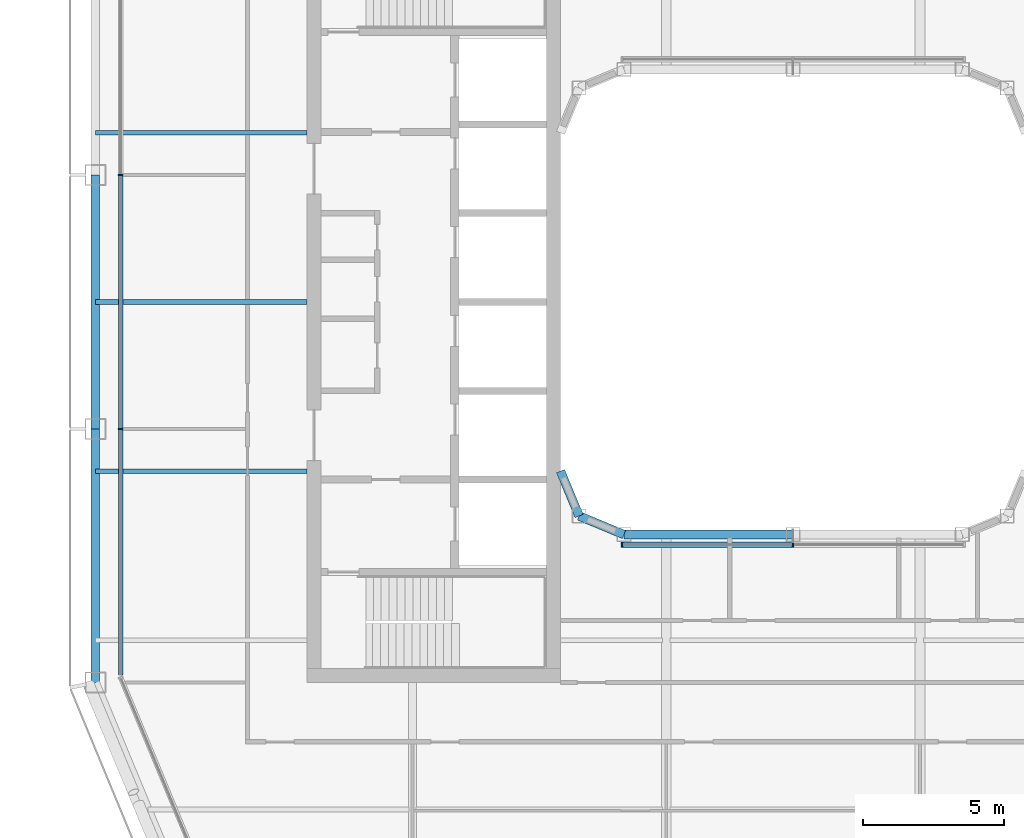
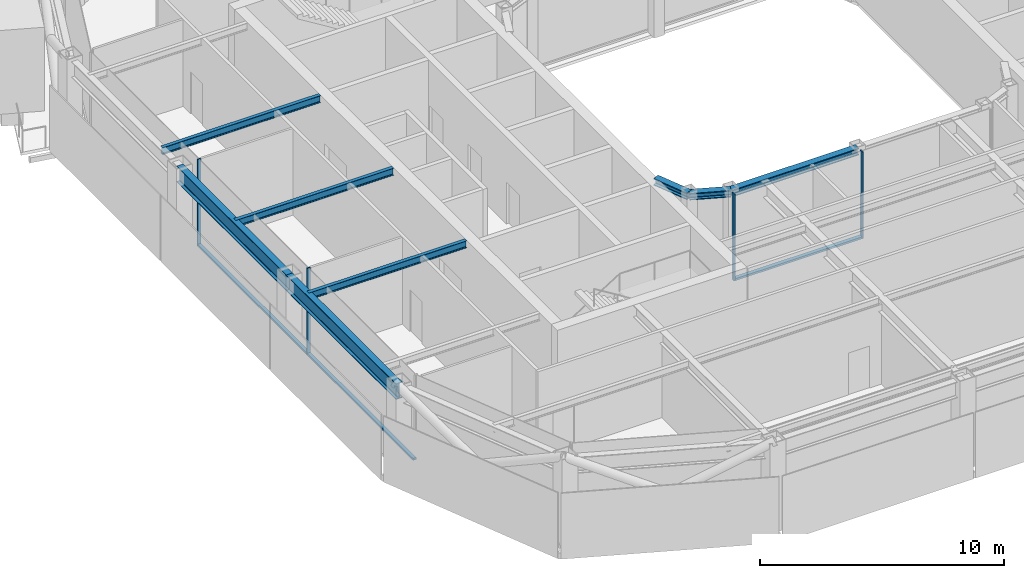
# One storey, part 3 of 21: 8 beams, 7 members, 2 elements without a shape of their own.
"""IFC4 building model written with IfcOpenShell, lengths in metres."""

from ifc_helpers import new_model, si_unit, direction, frame, origin, origin_2d, place, context, subcontext, project, spatial, rectangle, i_section, extrude, material, layer, layer_set, material_profile, profile_set, type_object, element, aggregate, save


model = new_model("IFC4")

# Units and contexts
model_context = context("Model", 3, precision=1e-05, world=origin(), true_north=direction((0.0, 1.0)))
body_context = subcontext(model_context, "Body", "Model", "MODEL_VIEW")
ifc_project = project(units=[si_unit("LENGTHUNIT", "METRE"), si_unit("AREAUNIT", "SQUARE_METRE"), si_unit("VOLUMEUNIT", "CUBIC_METRE"), si_unit("PLANEANGLEUNIT", "RADIAN"), si_unit("MASSUNIT", "GRAM", prefix="KILO")], contexts=[model_context])

# Site, building, storey
site_placement = place(None, origin())
site = spatial("IfcSite", under=ifc_project, at=site_placement, CompositionType="ELEMENT")
building_placement = place(site_placement, origin())
building = spatial("IfcBuilding", under=site, at=building_placement, Name="Siwar Civic Tower", CompositionType="ELEMENT")
storey_placement = place(building_placement, frame((0.0, 0.0, 312.199951171875)))
storey = spatial("IfcBuildingStorey", under=building, at=storey_placement, Name="L67", CompositionType="ELEMENT", Elevation=312.199951171875)

# Curtain wall, members
ifc_material_1 = material(Name="Aluminium and glass", Category="aluminium")
ifc_layer_1 = layer(ifc_material_1, 0.159912109375)
ifc_layer_set_1 = layer_set([ifc_layer_1], Name="Aluminium and glass")
curtain_wall_type_1 = type_object("IfcCurtainWallType", Name="ENV-CW-D", PredefinedType="NOTDEFINED", material=ifc_layer_set_1)
curtain_wall_1_placement = place(storey_placement, origin())
curtain_wall_1 = element("IfcCurtainWall", 1, at=curtain_wall_1_placement, inside=storey, type_object=curtain_wall_type_1, Name="Curtain wall D W", PredefinedType="NOTDEFINED")
ifc_material_2 = material(Name="Aluminium 6063-T6", Category="aluminium")
ifc_material_profile_1 = material_profile(ifc_material_2, rectangle(XDim=0.159912109375, YDim=0.06005859375, at=origin_2d()), Name="AL 160x60")
ifc_profile_set_1 = profile_set([ifc_material_profile_1], Name="Aluminium 6063-T6")
member_type_1 = type_object("IfcMemberType", Name="ENV-MULLION-D", PredefinedType="MULLION", material=ifc_profile_set_1)
member_1_placement = place(storey_placement, frame((-23.85009765625, 4.5, 0.0), z_axis=(0.0, 0.0, 1.0), x_axis=(1.0, 0.0, 0.0)))
member_1 = element("IfcMember", 2, at=member_1_placement, type_object=member_type_1, Name="Mullion D W 2", PredefinedType="MULLION", context=body_context, shape_type="SweptSolid", body=[
    extrude(rectangle(XDim=0.159912109375, YDim=0.06005859375, at=origin_2d()), origin(), (0.0, 0.0, 1.0), 4.35009765625),
])
member_2_placement = place(storey_placement, frame((-23.85009765625, -4.5, 0.0), z_axis=(0.0, 0.0, 1.0), x_axis=(1.0, 0.0, 0.0)))
member_2 = element("IfcMember", 3, at=member_2_placement, type_object=member_type_1, Name="Mullion D W 3", PredefinedType="MULLION", context=body_context, shape_type="SweptSolid", body=[
    extrude(rectangle(XDim=0.159912109375, YDim=0.06005859375, at=origin_2d()), origin(), (0.0, 0.0, 1.0), 4.35009765625),
])

ifc_material_3 = material(Name="Aluminium and glass", Category="aluminium")
ifc_layer_2 = layer(ifc_material_3, 0.179931640625)
ifc_layer_set_2 = layer_set([ifc_layer_2], Name="Aluminium and glass")
curtain_wall_type_2 = type_object("IfcCurtainWallType", Name="ENV-CW-W", PredefinedType="NOTDEFINED", material=ifc_layer_set_2)
curtain_wall_2_placement = place(storey_placement, origin())
curtain_wall_2 = element("IfcCurtainWall", 4, at=curtain_wall_2_placement, inside=storey, type_object=curtain_wall_type_2, Name="Curtain wall W WS", PredefinedType="NOTDEFINED")
ifc_material_4 = material(Name="Aluminium 6063-T6", Category="aluminium")
ifc_material_profile_2 = material_profile(ifc_material_4, rectangle(XDim=0.179931640625, YDim=0.06005859375, at=origin_2d()), Name="AL 180x60")
ifc_profile_set_2 = profile_set([ifc_material_profile_2], Name="Aluminium 6063-T6")
member_type_2 = type_object("IfcMemberType", Name="ENV-MULLION-W", PredefinedType="MULLION", material=ifc_profile_set_2)
member_3_placement = place(storey_placement, frame((-6.071533203125, -8.610107421875, 0.0), z_axis=(0.0, 0.0, 1.0), x_axis=(0.0, 1.0, 0.0)))
member_3 = element("IfcMember", 5, at=member_3_placement, type_object=member_type_2, Name="Mullion W WS 1", PredefinedType="MULLION", context=body_context, shape_type="SweptSolid", body=[
    extrude(rectangle(XDim=0.179931640625, YDim=0.06005859375, at=origin_2d()), origin(), (0.0, 0.0, 1.0), 4.35009765625),
])
member_4_placement = place(storey_placement, frame((0.0, -8.610107421875, 0.0), z_axis=(0.0, 0.0, 1.0), x_axis=(0.0, 1.0, 0.0)))
member_4 = element("IfcMember", 6, at=member_4_placement, type_object=member_type_2, Name="Mullion W WS 2", PredefinedType="MULLION", context=body_context, shape_type="SweptSolid", body=[
    extrude(rectangle(XDim=0.179931640625, YDim=0.06005859375, at=origin_2d()), origin(), (0.0, 0.0, 1.0), 4.35009765625),
])

# Member
ifc_material_5 = material(Name="Aluminium 6063-T6", Category="aluminium")
ifc_material_profile_3 = material_profile(ifc_material_5, rectangle(XDim=0.159912109375, YDim=0.10009765625, at=origin_2d()), Name="AL 160x100")
ifc_profile_set_3 = profile_set([ifc_material_profile_3], Name="Aluminium 6063-T6")
member_type_3 = type_object("IfcMemberType", Name="ENV-TRANSOM-D", PredefinedType="USERDEFINED", material=ifc_profile_set_3)
member_5_placement = place(storey_placement, frame((-23.85009765625, 4.469970703125, 0.050048828125), z_axis=(0.0, -1.0, 0.0), x_axis=(1.0, 0.0, 0.0)))
member_5 = element("IfcMember", 7, at=member_5_placement, type_object=member_type_3, Name="Transom D W 2", ObjectType="TRANSOM", PredefinedType="USERDEFINED", context=body_context, shape_type="SweptSolid", body=[
    extrude(rectangle(XDim=0.159912109375, YDim=0.10009765625, at=origin_2d()), origin(), (0.0, 0.0, 1.0), 8.93994140625),
])

member_6_placement = place(storey_placement, frame((-23.85009765625, -4.530029296875, 0.050048828125), z_axis=(0.0, -1.0, 0.0), x_axis=(1.0, 0.0, 0.0)))
member_6 = element("IfcMember", 8, at=member_6_placement, type_object=member_type_3, Name="Transom D W 3", ObjectType="TRANSOM", PredefinedType="USERDEFINED", context=body_context, shape_type="SweptSolid", body=[
    extrude(rectangle(XDim=0.159912109375, YDim=0.10009765625, at=origin_2d()), origin(), (0.0, 0.0, 1.0), 8.693115234375),
])

aggregate(curtain_wall_1, [member_1, member_2, member_5, member_6])

ifc_material_6 = material(Name="Aluminium 6063-T6", Category="aluminium")
ifc_material_profile_4 = material_profile(ifc_material_6, rectangle(XDim=0.179931640625, YDim=0.10009765625, at=origin_2d()), Name="AL 180x100")
ifc_profile_set_4 = profile_set([ifc_material_profile_4], Name="Aluminium 6063-T6")
member_type_4 = type_object("IfcMemberType", Name="ENV-TRANSOM-W", PredefinedType="USERDEFINED", material=ifc_profile_set_4)
member_7_placement = place(storey_placement, frame((-6.04150390625, -8.610107421875, 0.050048828125), z_axis=(1.0, 0.0, 0.0), x_axis=(0.0, 1.0, 0.0)))
member_7 = element("IfcMember", 9, at=member_7_placement, type_object=member_type_4, Name="Transom W WS 1", ObjectType="TRANSOM", PredefinedType="USERDEFINED", context=body_context, shape_type="SweptSolid", body=[
    extrude(rectangle(XDim=0.179931640625, YDim=0.10009765625, at=origin_2d()), origin(), (0.0, 0.0, 1.0), 6.011474609375),
])

aggregate(curtain_wall_2, [member_3, member_4, member_7])

# Beams
ifc_material_7 = material(Name="Steel S355", Category="steel")
ifc_material_profile_5 = material_profile(ifc_material_7, i_section(OverallWidth=0.169921875, OverallDepth=0.360107421875, WebThickness=0.008056640625, FlangeThickness=0.0126953125, FilletRadius=0.01806640625, at=origin_2d()), Name="IPE360")
ifc_profile_set_5 = profile_set([ifc_material_profile_5], Name="Steel S355")
beam_type_1 = type_object("IfcBeamType", Name="STR-FB-IPE360", PredefinedType="JOIST", material=ifc_profile_set_5)
for number, where, z_axis, x_axis, name in (
    (10, (-24.75, -6.0, 4.170166015625), (1.0, 0.0, 0.0), (0.0, 1.0, 0.0), "L67/bm/F016"),
    (11, (-24.75, 0.0, 4.170166015625), (1.0, 0.0, 0.0), (0.0, 1.0, 0.0), "L67/bm/F018"),
    (12, (-24.75, 6.0, 4.170166015625), (1.0, 0.0, 0.0), (0.0, 1.0, 0.0), "L67/bm/F020"),
):
    element("IfcBeam", number, at=place(storey_placement, frame(where, z_axis=z_axis, x_axis=x_axis)), inside=storey, type_object=beam_type_1, Name=name, PredefinedType="JOIST", context=body_context, shape_type="SweptSolid", body=[
        extrude(i_section(OverallWidth=0.169921875, OverallDepth=0.360107421875, WebThickness=0.008056640625, FlangeThickness=0.0126953125, FilletRadius=0.01806640625, at=origin_2d()), origin(), (0.0, 0.0, 1.0), 7.5),
    ])
ifc_material_8 = material(Name="Steel S355", Category="steel")
ifc_material_profile_6 = material_profile(ifc_material_8, i_section(OverallWidth=0.31005859375, OverallDepth=0.340087890625, WebThickness=0.02099609375, FlangeThickness=0.0390625, FilletRadius=0.027099609375, at=origin_2d()), Name="HEM300")
ifc_profile_set_6 = profile_set([ifc_material_profile_6], Name="Steel S355")
beam_type_2 = type_object("IfcBeamType", Name="STR-RB-HEM300", PredefinedType="BEAM", material=ifc_profile_set_6)
beam_1_placement = place(storey_placement, frame((-7.591064453125, -7.591064453125, 4.179931640625), z_axis=(0.923901072997, -0.382631424892, 0.0), x_axis=(0.382631424892, 0.923901072997, 0.0)))
element("IfcBeam", 13, at=beam_1_placement, inside=storey, type_object=beam_type_2, Name="L67/bm/RS0", PredefinedType="BEAM", context=body_context, shape_type="SweptSolid", body=[
    extrude(i_section(OverallWidth=0.31005859375, OverallDepth=0.340087890625, WebThickness=0.02099609375, FlangeThickness=0.0390625, FilletRadius=0.027099609375, at=origin_2d()), origin(), (0.0, 0.0, 1.0), 1.72216796875),
])
beam_2_placement = place(storey_placement, frame((-6.0, -8.25, 4.179931640625), z_axis=(1.0, 0.0, 0.0), x_axis=(0.0, 1.0, 0.0)))
element("IfcBeam", 14, at=beam_2_placement, inside=storey, type_object=beam_type_2, Name="L67/bm/RS1", PredefinedType="BEAM", context=body_context, shape_type="SweptSolid", body=[
    extrude(i_section(OverallWidth=0.31005859375, OverallDepth=0.340087890625, WebThickness=0.02099609375, FlangeThickness=0.0390625, FilletRadius=0.027099609375, at=origin_2d()), origin(), (0.0, 0.0, 1.0), 6.0),
])
beam_3_placement = place(storey_placement, frame((-7.591064453125, -7.591064453125, 4.179931640625), z_axis=(-0.382631424892, 0.923901072997, 0.0), x_axis=(-0.923901072997, -0.382631424892, 0.0)))
element("IfcBeam", 15, at=beam_3_placement, inside=storey, type_object=beam_type_2, Name="L67/bm/RSEW", PredefinedType="BEAM", context=body_context, shape_type="SweptSolid", body=[
    extrude(i_section(OverallWidth=0.31005859375, OverallDepth=0.340087890625, WebThickness=0.02099609375, FlangeThickness=0.0390625, FilletRadius=0.027099609375, at=origin_2d()), origin(), (0.0, 0.0, 1.0), 1.72216796875),
])
ifc_material_9 = material(Name="Steel S355", Category="steel")
ifc_material_profile_7 = material_profile(ifc_material_9, i_section(OverallWidth=0.300048828125, OverallDepth=0.800048828125, WebThickness=0.017578125, FlangeThickness=0.032958984375, FilletRadius=0.030029296875, at=origin_2d()), Name="HEB800")
ifc_profile_set_7 = profile_set([ifc_material_profile_7], Name="Steel S355")
beam_type_3 = type_object("IfcBeamType", Name="STR-SB-HEB800", PredefinedType="BEAM", material=ifc_profile_set_7)
for number, where, z_axis, x_axis, name in (
    (16, (-24.75, 4.5, 3.949951171875), (0.0, -1.0, 0.0), (1.0, 0.0, 0.0), "L67/bm/SW-1"),
    (17, (-24.75, -4.5, 3.949951171875), (0.0, -1.0, 0.0), (1.0, 0.0, 0.0), "L67/bm/SW-2"),
):
    element("IfcBeam", number, at=place(storey_placement, frame(where, z_axis=z_axis, x_axis=x_axis)), inside=storey, type_object=beam_type_3, Name=name, PredefinedType="BEAM", context=body_context, shape_type="SweptSolid", body=[
        extrude(i_section(OverallWidth=0.300048828125, OverallDepth=0.800048828125, WebThickness=0.017578125, FlangeThickness=0.032958984375, FilletRadius=0.030029296875, at=origin_2d()), origin(), (0.0, 0.0, 1.0), 9.0),
    ])

save(model, "model.ifc")
